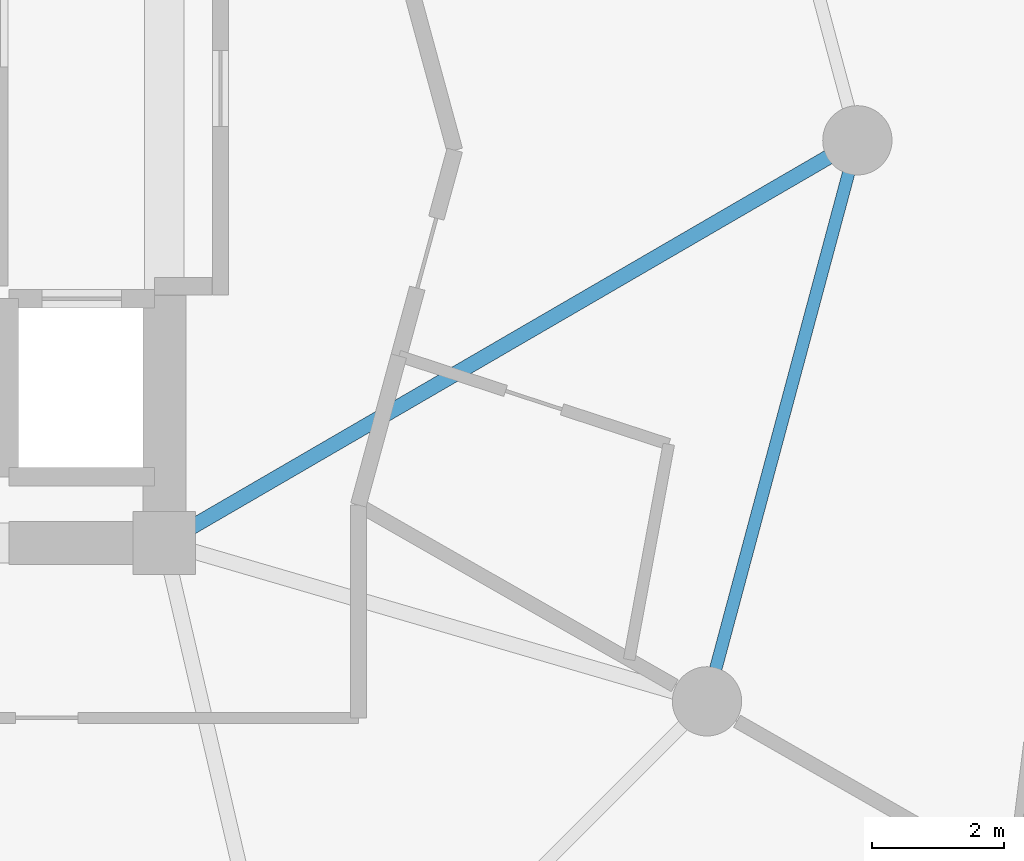
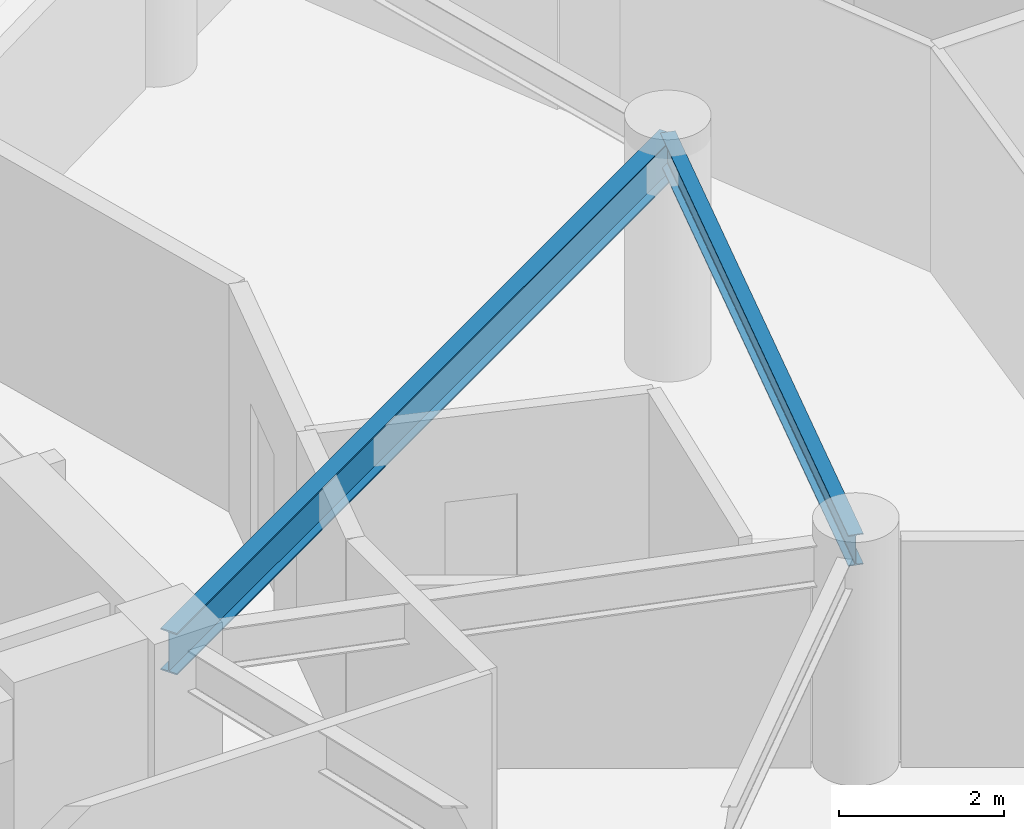
# One storey, part 10 of 22: 2 beams.
"""IFC4 building model written with IfcOpenShell, lengths in metres."""

from ifc_helpers import new_model, si_unit, direction, frame, origin, origin_2d, place, context, subcontext, project, spatial, i_section, extrude, material, material_profile, profile_set, type_object, element, save


model = new_model("IFC4")

# Units and contexts
model_context = context("Model", 3, precision=1e-05, world=origin(), true_north=direction((0.0, 1.0)))
body_context = subcontext(model_context, "Body", "Model", "MODEL_VIEW")
ifc_project = project(units=[si_unit("LENGTHUNIT", "METRE"), si_unit("AREAUNIT", "SQUARE_METRE"), si_unit("VOLUMEUNIT", "CUBIC_METRE"), si_unit("PLANEANGLEUNIT", "RADIAN"), si_unit("MASSUNIT", "GRAM", prefix="KILO")], contexts=[model_context])

# Site, building, storey
site_placement = place(None, origin())
site = spatial("IfcSite", under=ifc_project, at=site_placement, CompositionType="ELEMENT")
building_placement = place(site_placement, origin())
building = spatial("IfcBuilding", under=site, at=building_placement, Name="Solvirekh Grand Hotel", CompositionType="ELEMENT")
storey_placement = place(building_placement, frame((0.0, 0.0, 149.39990234375)))
storey = spatial("IfcBuildingStorey", under=building, at=storey_placement, Name="L38", CompositionType="ELEMENT", Elevation=149.39990234375)

# Beams
ifc_material = material(Name="Steel S355", Category="steel")
ifc_material_profile_1 = material_profile(ifc_material, i_section(OverallWidth=0.22802734375, OverallDepth=0.616943359375, WebThickness=0.012939453125, FlangeThickness=0.02001953125, FilletRadius=0.014892578125, at=origin_2d()), Name="W610X140")
ifc_profile_set_1 = profile_set([ifc_material_profile_1], Name="Steel S355")
beam_type_1 = type_object("IfcBeamType", Name="Beam_Radial_W610", PredefinedType="BEAM", material=ifc_profile_set_1)
beam_1_placement = place(storey_placement, frame((6.5, -6.10009765625, 3.041015625), z_axis=(0.864670076815, 0.50234018181, 0.0), x_axis=(-0.50234018181, 0.864670076815, 0.0)))
element("IfcBeam", 1, at=beam_1_placement, inside=storey, type_object=beam_type_1, Name="L38 radial floor beam R01", PredefinedType="BEAM", context=body_context, shape_type="SweptSolid", body=[
    extrude(i_section(OverallWidth=0.22802734375, OverallDepth=0.616943359375, WebThickness=0.012939453125, FlangeThickness=0.02001953125, FilletRadius=0.014892578125, at=origin_2d()), origin(), (0.0, 0.0, 1.0), 12.143310546875),
])
ifc_material_profile_2 = material_profile(ifc_material, i_section(OverallWidth=0.18994140625, OverallDepth=0.45703125, WebThickness=0.009033203125, FlangeThickness=0.013916015625, FilletRadius=0.012939453125, at=origin_2d()), Name="W460X74")
ifc_profile_set_2 = profile_set([ifc_material_profile_2], Name="Steel S355")
beam_type_2 = type_object("IfcBeamType", Name="Spandrel_Ring_W460", PredefinedType="SPANDREL", material=ifc_profile_set_2)
beam_2_placement = place(storey_placement, frame((14.721923828125, -8.5, 3.1220703125), z_axis=(0.258872908946, 0.965911391906, 0.0), x_axis=(-0.965911391906, 0.258872908946, 0.0)))
element("IfcBeam", 2, at=beam_2_placement, inside=storey, type_object=beam_type_2, Name="L38 perimeter spandrel beam 12", PredefinedType="SPANDREL", context=body_context, shape_type="SweptSolid", body=[
    extrude(i_section(OverallWidth=0.18994140625, OverallDepth=0.45703125, WebThickness=0.009033203125, FlangeThickness=0.013916015625, FilletRadius=0.012939453125, at=origin_2d()), origin(), (0.0, 0.0, 1.0), 8.800048828125),
])

save(model, "model.ifc")
